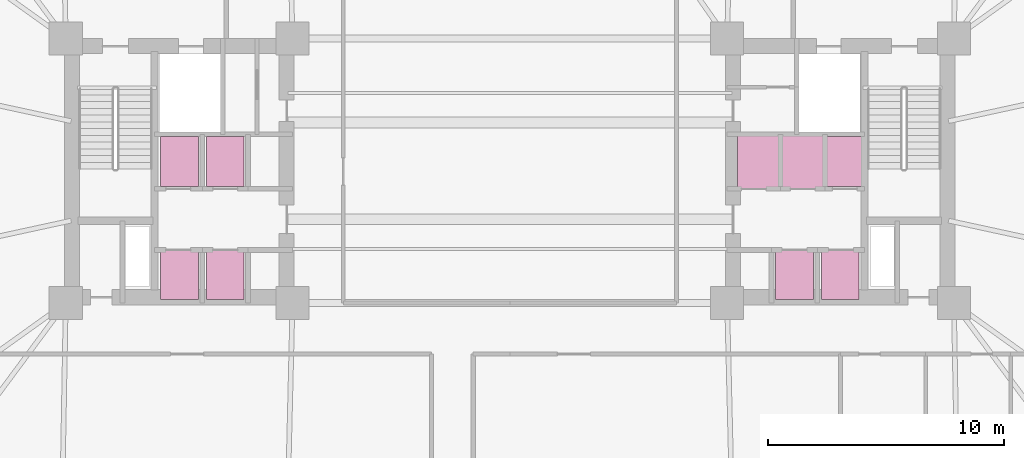
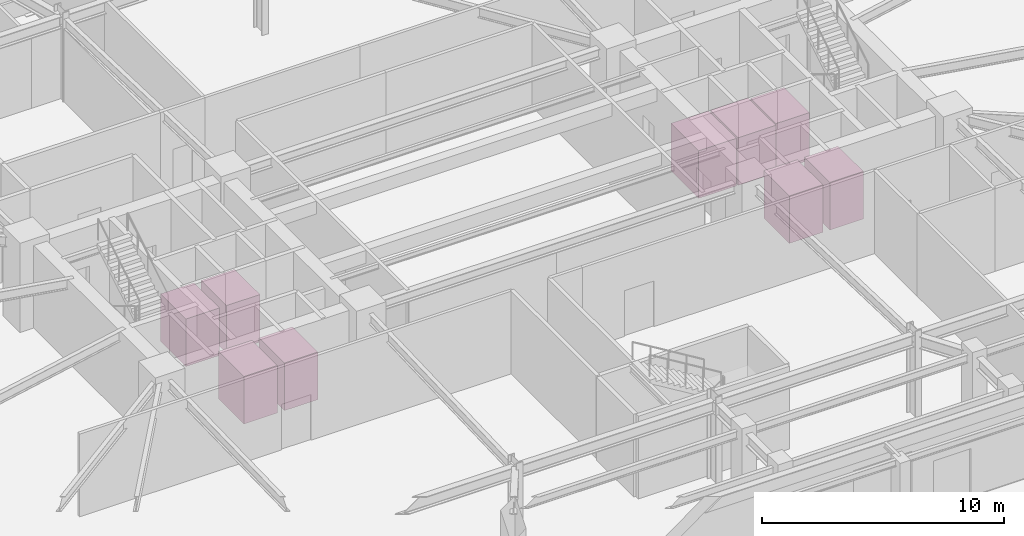
# One storey, part 18 of 18: 9 transport elements.
"""IFC4 building model written with IfcOpenShell, lengths in metres."""

from ifc_helpers import new_model, si_unit, direction, frame, origin, origin_2d, place, context, subcontext, project, spatial, rectangle, extrude, material, type_object, element, save


model = new_model("IFC4")

# Units and contexts
model_context = context("Model", 3, precision=1e-05, world=origin(), true_north=direction((0.0, 1.0)))
body_context = subcontext(model_context, "Body", "Model", "MODEL_VIEW")
ifc_project = project(units=[si_unit("LENGTHUNIT", "METRE"), si_unit("AREAUNIT", "SQUARE_METRE"), si_unit("VOLUMEUNIT", "CUBIC_METRE"), si_unit("PLANEANGLEUNIT", "RADIAN"), si_unit("MASSUNIT", "GRAM", prefix="KILO")], contexts=[model_context])

# Site, building, storey
site_placement = place(None, origin())
site = spatial("IfcSite", under=ifc_project, at=site_placement, CompositionType="ELEMENT")
building_placement = place(site_placement, origin())
building = spatial("IfcBuilding", under=site, at=building_placement, Name="Qobustan Lattice House", CompositionType="ELEMENT")
storey_placement = place(building_placement, origin())
storey = spatial("IfcBuildingStorey", under=building, at=storey_placement, Name="L00", CompositionType="ELEMENT", Elevation=0.0)

# Transport elements
ifc_material_1 = material(Name="Panoramic observation shuttle elevator car", Category="steel")
transport_element_type_1 = type_object("IfcTransportElementType", Name="LFT-EX-2000", PredefinedType="ELEVATOR", material=ifc_material_1)
for number, where, z_axis, x_axis, name in (
    (1, (10.530029296875, 0.39990234375, 0.0), (0.0, 0.0, 1.0), (1.0, 0.0, 0.0), "Elevator EX-1 car"),
    (2, (12.409912109375, 0.39990234375, 0.0), (0.0, 0.0, 1.0), (1.0, 0.0, 0.0), "Elevator EX-2 car"),
):
    element("IfcTransportElement", number, at=place(storey_placement, frame(where, z_axis=z_axis, x_axis=x_axis)), inside=storey, type_object=transport_element_type_1, Name=name, PredefinedType="ELEVATOR", context=body_context, shape_type="SweptSolid", body=[
        extrude(rectangle(XDim=1.800048828125, YDim=2.300048828125, at=origin_2d()), origin(), (0.0, 0.0, 1.0), 2.39990234375),
    ])
ifc_material_2 = material(Name="Brushed bronze passenger elevator car", Category="steel")
transport_element_type_2 = type_object("IfcTransportElementType", Name="LFT-PL-1600", PredefinedType="ELEVATOR", material=ifc_material_2)
for number, where, z_axis, x_axis, name in (
    (3, (-13.985107421875, -4.385009765625, 0.0), (0.0, 0.0, 1.0), (1.0, 0.0, 0.0), "Elevator PL-1 car"),
    (4, (-12.050048828125, -4.385009765625, 0.0), (0.0, 0.0, 1.0), (1.0, 0.0, 0.0), "Elevator PL-2 car"),
    (5, (-13.985107421875, 0.39990234375, 0.0), (0.0, 0.0, 1.0), (1.0, 0.0, 0.0), "Elevator PL-3 car"),
    (6, (-12.050048828125, 0.39990234375, 0.0), (0.0, 0.0, 1.0), (1.0, 0.0, 0.0), "Elevator PL-4 car"),
    (7, (12.050048828125, -4.385009765625, 0.0), (0.0, 0.0, 1.0), (1.0, 0.0, 0.0), "Elevator PL-5 car"),
    (8, (13.985107421875, -4.385009765625, 0.0), (0.0, 0.0, 1.0), (1.0, 0.0, 0.0), "Elevator PL-6 car"),
    (9, (14.169921875, 0.39990234375, 0.0), (0.0, 0.0, 1.0), (1.0, 0.0, 0.0), "Elevator PL-7 car"),
):
    element("IfcTransportElement", number, at=place(storey_placement, frame(where, z_axis=z_axis, x_axis=x_axis)), inside=storey, type_object=transport_element_type_2, Name=name, PredefinedType="ELEVATOR", context=body_context, shape_type="SweptSolid", body=[
        extrude(rectangle(XDim=1.60009765625, YDim=2.10009765625, at=origin_2d()), origin(), (0.0, 0.0, 1.0), 2.39990234375),
    ])

save(model, "model.ifc")
